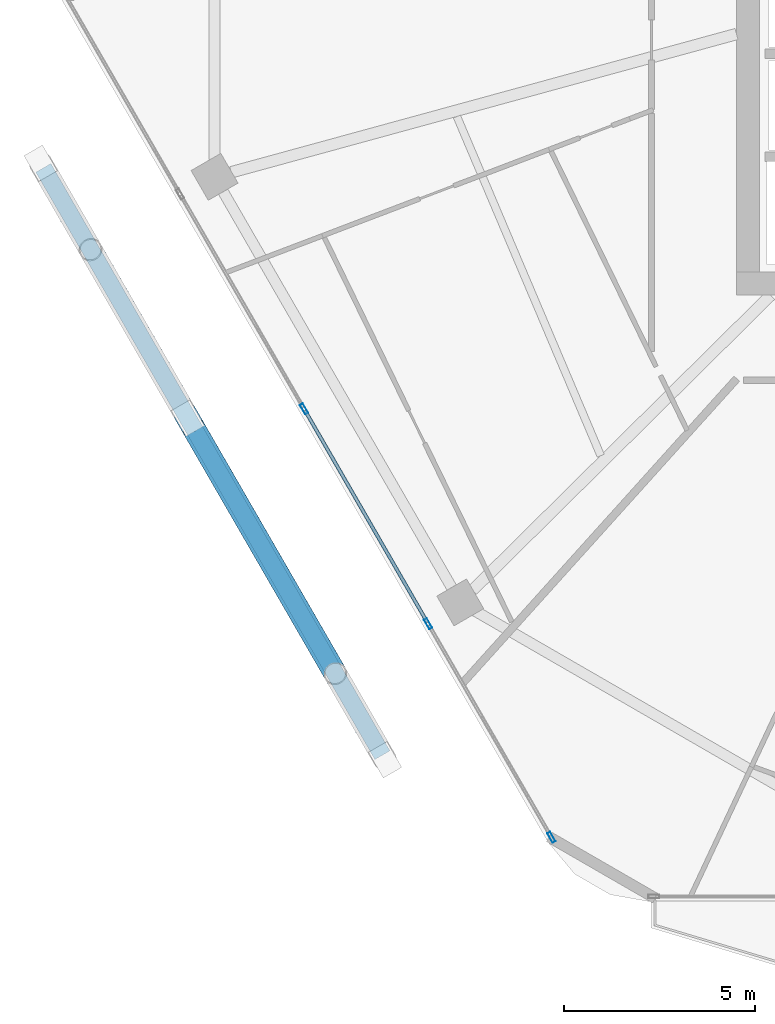
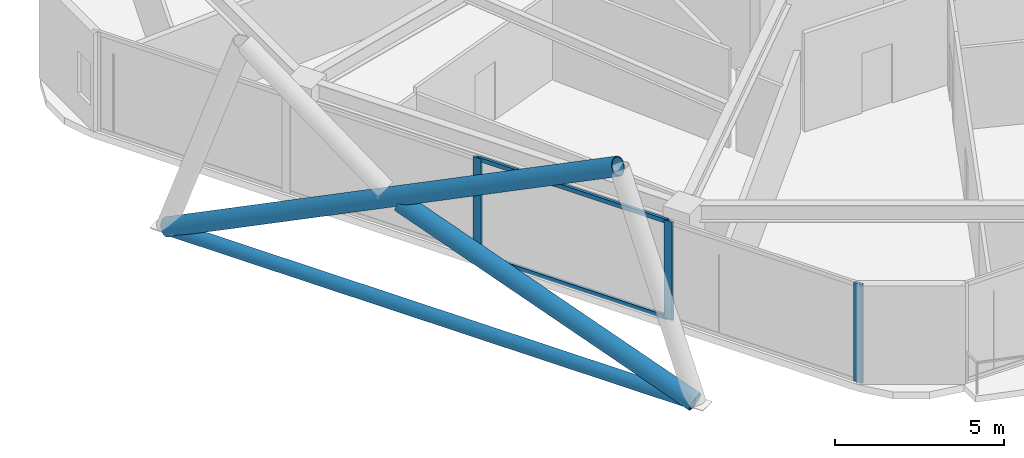
# One storey, part 2 of 26: 8 members, 1 element without a shape of its own.
"""IFC4 building model written with IfcOpenShell, lengths in metres."""

from ifc_helpers import new_model, si_unit, direction, frame, origin, origin_2d, place, context, subcontext, project, spatial, hollow_rectangle, hollow_circle, extrude, material, material_profile, profile_set, type_object, element, aggregate, save


model = new_model("IFC4")

# Units and contexts
model_context = context("Model", 3, precision=1e-05, world=origin(), true_north=direction((0.0, 1.0)))
body_context = subcontext(model_context, "Body", "Model", "MODEL_VIEW")
ifc_project = project(units=[si_unit("LENGTHUNIT", "METRE"), si_unit("AREAUNIT", "SQUARE_METRE"), si_unit("VOLUMEUNIT", "CUBIC_METRE"), si_unit("PLANEANGLEUNIT", "RADIAN"), si_unit("MASSUNIT", "GRAM", prefix="KILO")], contexts=[model_context])

# Site, building, storey
site_placement = place(None, origin())
site = spatial("IfcSite", under=ifc_project, at=site_placement, CompositionType="ELEMENT")
building_placement = place(site_placement, origin())
building = spatial("IfcBuilding", under=site, at=building_placement, Name="Zuhravey Tower", CompositionType="ELEMENT")
storey_placement = place(building_placement, frame((0.0, 0.0, 231.199951171875)))
storey = spatial("IfcBuildingStorey", under=building, at=storey_placement, Name="L58", CompositionType="ELEMENT", Elevation=231.199951171875)

# Curtain wall, members
ifc_material_1 = material(Name="Thermally broken anodised aluminium", Category="aluminium")
curtain_wall_type = type_object("IfcCurtainWallType", Name="Zone 3-4 High-Rise Curtain Wall CW4", PredefinedType="NOTDEFINED", material=ifc_material_1)
curtain_wall_placement = place(storey_placement, origin())
curtain_wall = element("IfcCurtainWall", 1, at=curtain_wall_placement, inside=storey, type_object=curtain_wall_type, Name="L58 CW4 CW-L58-F4-1", PredefinedType="NOTDEFINED")
ifc_material_2 = material(Name="Anodised aluminium", Category="aluminium")
ifc_material_profile_1 = material_profile(ifc_material_2, hollow_rectangle(XDim=0.090087890625, YDim=0.284912109375, WallThickness=0.0048828125, at=origin_2d()), Name="ALU-RHS-90x285x5")
ifc_profile_set_1 = profile_set([ifc_material_profile_1], Name="Anodised aluminium")
member_type_1 = type_object("IfcMemberType", Name="Curtain-Wall Mullion 90x180", PredefinedType="MULLION", material=ifc_profile_set_1)
member_1_placement = place(storey_placement, frame((20.34521484375, 7.98779296875, 0.0), z_axis=(0.0, 0.0, 1.0), x_axis=(-0.866024851021, -0.500000957414, 0.0)))
member_1 = element("IfcMember", 2, at=member_1_placement, type_object=member_type_1, Name="CW4 mullion 1", PredefinedType="MULLION", context=body_context, shape_type="SweptSolid", body=[
    extrude(hollow_rectangle(XDim=0.090087890625, YDim=0.284912109375, WallThickness=0.0048828125, at=origin_2d()), origin(), (0.0, 0.0, 1.0), 3.550048828125),
])
member_2_placement = place(storey_placement, frame((17.114501953125, 13.58349609375, 0.0), z_axis=(0.0, 0.0, 1.0), x_axis=(-0.866024851021, -0.500000957414, 0.0)))
member_2 = element("IfcMember", 3, at=member_2_placement, type_object=member_type_1, Name="CW4 mullion 2", PredefinedType="MULLION", context=body_context, shape_type="SweptSolid", body=[
    extrude(hollow_rectangle(XDim=0.090087890625, YDim=0.284912109375, WallThickness=0.0048828125, at=origin_2d()), origin(), (0.0, 0.0, 1.0), 3.550048828125),
])
member_3_placement = place(storey_placement, frame((13.861328125, 19.21826171875, 0.0), z_axis=(0.0, 0.0, 1.0), x_axis=(-0.866024851021, -0.500000957414, 0.0)))
member_3 = element("IfcMember", 4, at=member_3_placement, type_object=member_type_1, Name="CW4 mullion 3", PredefinedType="MULLION", context=body_context, shape_type="SweptSolid", body=[
    extrude(hollow_rectangle(XDim=0.090087890625, YDim=0.284912109375, WallThickness=0.0048828125, at=origin_2d()), origin(), (0.0, 0.0, 1.0), 3.550048828125),
])
ifc_material_profile_2 = material_profile(ifc_material_2, hollow_rectangle(XDim=0.090087890625, YDim=0.14990234375, WallThickness=0.0048828125, at=origin_2d()), Name="ALU-RHS-90x150x5")
ifc_profile_set_2 = profile_set([ifc_material_profile_2], Name="Anodised aluminium")
member_type_2 = type_object("IfcMemberType", Name="Curtain-Wall Transom 90x150", PredefinedType="USERDEFINED", material=ifc_profile_set_2)
member_4_placement = place(storey_placement, frame((17.092041015625, 13.62255859375, 0.045166015625), z_axis=(-0.500014493347, 0.866017035885, 0.0), x_axis=(-0.866017035885, -0.500014493347, 0.0)))
member_4 = element("IfcMember", 5, at=member_4_placement, type_object=member_type_2, Name="CW4 transom 2.1", ObjectType="TRANSOM", PredefinedType="USERDEFINED", context=body_context, shape_type="SweptSolid", body=[
    extrude(hollow_rectangle(XDim=0.090087890625, YDim=0.14990234375, WallThickness=0.0048828125, at=origin_2d()), origin(), (0.0, 0.0, 1.0), 6.416259765625),
])
member_5_placement = place(storey_placement, frame((17.092041015625, 13.62255859375, 3.505126953125), z_axis=(-0.500014493347, 0.866017035885, 0.0), x_axis=(-0.866017035885, -0.500014493347, 0.0)))
member_5 = element("IfcMember", 6, at=member_5_placement, type_object=member_type_2, Name="CW4 transom 2.2", ObjectType="TRANSOM", PredefinedType="USERDEFINED", context=body_context, shape_type="SweptSolid", body=[
    extrude(hollow_rectangle(XDim=0.090087890625, YDim=0.14990234375, WallThickness=0.0048828125, at=origin_2d()), origin(), (0.0, 0.0, 1.0), 6.416259765625),
])
aggregate(curtain_wall, [member_1, member_2, member_3, member_4, member_5])

# Members
ifc_material_3 = material(Name="Steel SM355", Category="steel")
ifc_material_profile_3 = material_profile(ifc_material_3, hollow_circle(Radius=0.228515625, WallThickness=0.02197265625, at=origin_2d()), Name="CHS-457.2x22")
ifc_profile_set_3 = profile_set([ifc_material_profile_3], Name="Steel SM355")
member_type_3 = type_object("IfcMemberType", Name="Exoskeleton Ring Tie CHS457x22", PredefinedType="CHORD", material=ifc_profile_set_3)
member_6_placement = place(storey_placement, frame((7.026611328125, 25.536376953125, -0.4638671875), z_axis=(0.499995467921, -0.866028020366, 0.0), x_axis=(0.866028020366, 0.499995467921, 0.0)))
element("IfcMember", 7, at=member_6_placement, inside=storey, type_object=member_type_3, Name="L58 Exoskeleton Face 4 Tie EXR1", PredefinedType="CHORD", context=body_context, shape_type="SweptSolid", body=[
    extrude(hollow_circle(Radius=0.228515625, WallThickness=0.02197265625, at=origin_2d()), origin(), (0.0, 0.0, 1.0), 17.778076171875),
])
ifc_material_profile_4 = material_profile(ifc_material_3, hollow_circle(Radius=0.3046875, WallThickness=0.028076171875, at=origin_2d()), Name="CHS-609.6x28")
ifc_profile_set_4 = profile_set([ifc_material_profile_4], Name="Steel SM355")
member_type_4 = type_object("IfcMemberType", Name="Exoskeleton Zone 3 Diagrid CHS610x28", PredefinedType="BRACE", material=ifc_profile_set_4)
member_7_placement = place(storey_placement, frame((6.974853515625, 25.625732421875, -0.446044921875), z_axis=(0.448584334027, -0.776956905635, 0.44171264647), x_axis=(0.866021515814, 0.500006734102, 0.0)))
element("IfcMember", 8, at=member_7_placement, inside=storey, type_object=member_type_4, Name="L58 Face 4 Diagrid Brace 2", PredefinedType="BRACE", context=body_context, shape_type="SweptSolid", body=[
    extrude(hollow_circle(Radius=0.3046875, WallThickness=0.028076171875, at=origin_2d()), origin(), (0.0, 0.0, 1.0), 17.124755859375),
])
member_8_placement = place(storey_placement, frame((15.96630859375, 10.052001953125, -0.449951171875), z_axis=(-0.469306285882, 0.812862261066, 0.344973266451), x_axis=(-0.866025385035, -0.500000032475, 0.0)))
element("IfcMember", 9, at=member_8_placement, inside=storey, type_object=member_type_4, Name="L58 Face 4 Split Diagrid Brace 3A", PredefinedType="BRACE", context=body_context, shape_type="SweptSolid", body=[
    extrude(hollow_circle(Radius=0.3046875, WallThickness=0.028076171875, at=origin_2d()), origin(), (0.0, 0.0, 1.0), 10.679931640625),
])

save(model, "model.ifc")
